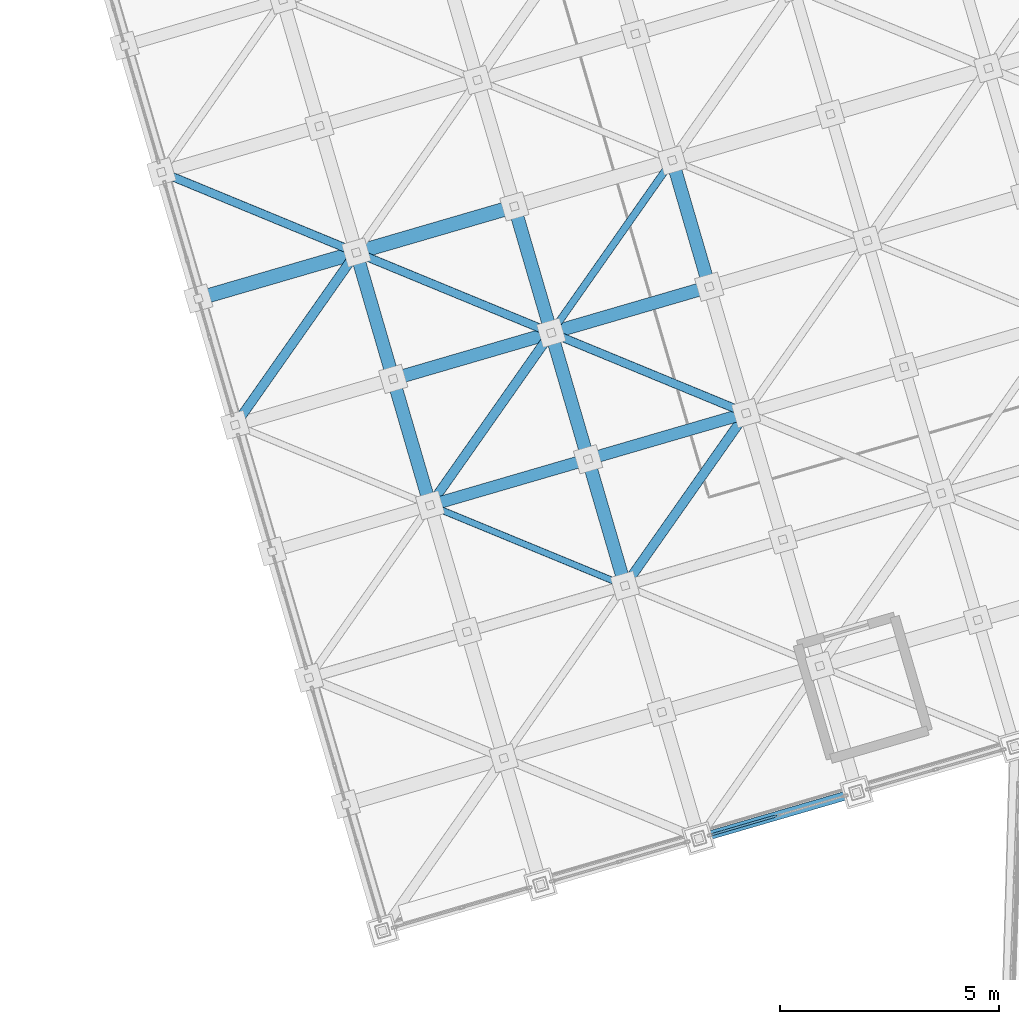
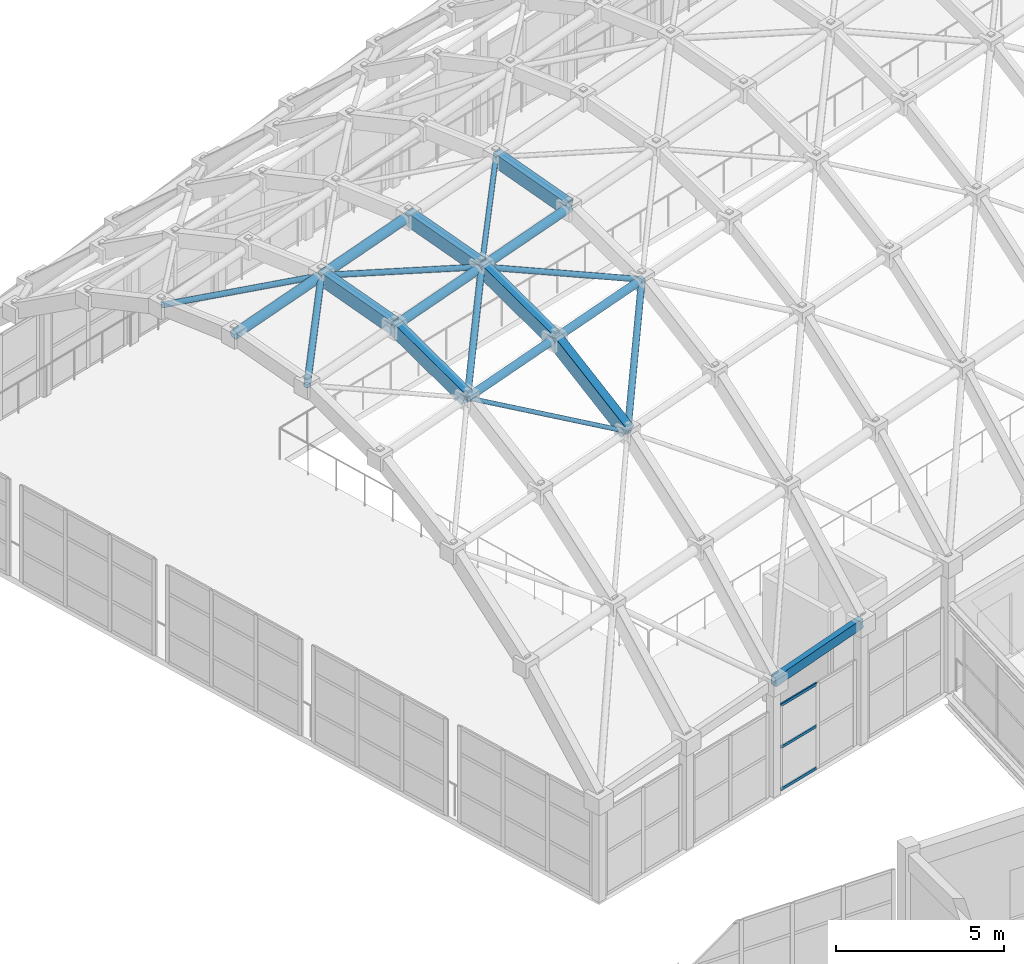
# One storey, part 39 of 248: 17 members, 7 beams, 1 element without a shape of its own.
"""IFC4 building model written with IfcOpenShell, lengths in metres."""

from ifc_helpers import new_model, si_unit, direction, frame, origin, origin_2d, place, context, subcontext, project, spatial, hollow_rectangle, hollow_circle, extrude, material, layer, layer_set, material_profile, profile_set, type_object, element, aggregate, save


model = new_model("IFC4")

# Units and contexts
model_context = context("Model", 3, precision=1e-05, world=origin(), true_north=direction((0.0, 1.0)))
body_context = subcontext(model_context, "Body", "Model", "MODEL_VIEW")
ifc_project = project(units=[si_unit("LENGTHUNIT", "METRE"), si_unit("AREAUNIT", "SQUARE_METRE"), si_unit("VOLUMEUNIT", "CUBIC_METRE"), si_unit("PLANEANGLEUNIT", "RADIAN"), si_unit("MASSUNIT", "GRAM", prefix="KILO")], contexts=[model_context])

# Site, building, storey
site_placement = place(None, origin())
site = spatial("IfcSite", under=ifc_project, at=site_placement, CompositionType="ELEMENT")
building_placement = place(site_placement, origin())
building = spatial("IfcBuilding", under=site, at=building_placement, Name="Canggui Botanical Conservatory", CompositionType="ELEMENT")
storey_placement = place(building_placement, frame((0.0, 0.0, 5.39990234375)))
storey = spatial("IfcBuildingStorey", under=building, at=storey_placement, Name="L02", CompositionType="ELEMENT", Elevation=5.39990234375)

# Beams
ifc_material_1 = material(Name="Steel Q355C", Category="steel")
ifc_material_profile_1 = material_profile(ifc_material_1, hollow_rectangle(XDim=0.300048828125, YDim=0.5, WallThickness=0.01611328125, at=origin_2d()), Name="RHS 300x500x16")
ifc_profile_set_1 = profile_set([ifc_material_profile_1], Name="Steel Q355C")
beam_type_1 = type_object("IfcBeamType", Name="BM-GJ01", PredefinedType="BEAM", material=ifc_profile_set_1)
beam_1_placement = place(storey_placement, frame((21.080078125, 51.68994140625, 11.9140625), z_axis=(-0.261403948618, 0.896187847093, 0.358490332324), x_axis=(-0.959995442804, -0.2800156242, 0.0)))
element("IfcBeam", 1, at=beam_1_placement, inside=storey, type_object=beam_type_1, Name="Conservatory Stepped-Arch Rib GJ-02 Segment 4", PredefinedType="BEAM", context=body_context, shape_type="SweptSolid", body=[
    extrude(hollow_rectangle(XDim=0.300048828125, YDim=0.5, WallThickness=0.01611328125, at=origin_2d()), origin(), (0.0, 0.0, 1.0), 3.2138671875),
])
beam_2_placement = place(storey_placement, frame((20.239990234375, 54.570068359375, 13.066162109375), z_axis=(-0.277770725345, 0.952218388891, 0.12697859662), x_axis=(-0.959989061447, -0.280037500885, 0.0)))
element("IfcBeam", 2, at=beam_2_placement, inside=storey, type_object=beam_type_1, Name="Conservatory Stepped-Arch Rib GJ-02 Segment 5", PredefinedType="BEAM", context=body_context, shape_type="SweptSolid", body=[
    extrude(hollow_rectangle(XDim=0.300048828125, YDim=0.5, WallThickness=0.01611328125, at=origin_2d()), origin(), (0.0, 0.0, 1.0), 3.0244140625),
])
beam_3_placement = place(storey_placement, frame((25.52001953125, 49.860107421875, 10.244140625), z_axis=(-0.235868359053, 0.808574008543, 0.539049339028), x_axis=(-0.959989061447, -0.280037500885, 0.0)))
element("IfcBeam", 3, at=beam_3_placement, inside=storey, type_object=beam_type_1, Name="Conservatory Stepped-Arch Rib GJ-03 Segment 3", PredefinedType="BEAM", context=body_context, shape_type="SweptSolid", body=[
    extrude(hollow_rectangle(XDim=0.300048828125, YDim=0.5, WallThickness=0.01611328125, at=origin_2d()), origin(), (0.0, 0.0, 1.0), 3.561767578125),
])
beam_4_placement = place(storey_placement, frame((24.679931640625, 52.739990234375, 12.1640625), z_axis=(-0.261333170082, 0.896205641703, 0.35849745047), x_axis=(-0.960017315421, -0.279940626011, 0.0)))
element("IfcBeam", 4, at=beam_4_placement, inside=storey, type_object=beam_type_1, Name="Conservatory Stepped-Arch Rib GJ-03 Segment 4", PredefinedType="BEAM", context=body_context, shape_type="SweptSolid", body=[
    extrude(hollow_rectangle(XDim=0.300048828125, YDim=0.5, WallThickness=0.01611328125, at=origin_2d()), origin(), (0.0, 0.0, 1.0), 3.213623046875),
])
beam_5_placement = place(storey_placement, frame((23.840087890625, 55.6201171875, 13.316162109375), z_axis=(-0.277770725345, 0.952218388891, 0.12697859662), x_axis=(-0.959989061447, -0.280037500885, 0.0)))
element("IfcBeam", 5, at=beam_5_placement, inside=storey, type_object=beam_type_1, Name="Conservatory Stepped-Arch Rib GJ-03 Segment 5", PredefinedType="BEAM", context=body_context, shape_type="SweptSolid", body=[
    extrude(hollow_rectangle(XDim=0.300048828125, YDim=0.5, WallThickness=0.01611328125, at=origin_2d()), origin(), (0.0, 0.0, 1.0), 3.0244140625),
])
beam_6_placement = place(storey_placement, frame((27.43994140625, 56.669921875, 13.566162109375), z_axis=(-0.277674882378, 0.952247263781, 0.126971683134), x_axis=(-0.960017315421, -0.279940626011, 0.0)))
element("IfcBeam", 6, at=beam_6_placement, inside=storey, type_object=beam_type_1, Name="Conservatory Stepped-Arch Rib GJ-04 Segment 5", PredefinedType="BEAM", context=body_context, shape_type="SweptSolid", body=[
    extrude(hollow_rectangle(XDim=0.300048828125, YDim=0.5, WallThickness=0.01611328125, at=origin_2d()), origin(), (0.0, 0.0, 1.0), 3.024658203125),
])
ifc_material_profile_2 = material_profile(ifc_material_1, hollow_rectangle(XDim=0.199951171875, YDim=0.35009765625, WallThickness=0.011962890625, at=origin_2d()), Name="RHS 200x350x12")
ifc_profile_set_2 = profile_set([ifc_material_profile_2], Name="Steel Q355C")
beam_type_2 = type_object("IfcBeamType", Name="BM-RING01", PredefinedType="BEAM", material=ifc_profile_set_2)
beam_7_placement = place(storey_placement, frame((27.199951171875, 44.10009765625, 4.10009765625), z_axis=(0.957889800097, 0.279324979006, 0.066518320582), x_axis=(-0.279945000113, 0.960016039924, 0.0)))
element("IfcBeam", 7, at=beam_7_placement, inside=storey, type_object=beam_type_2, Name="Conservatory Perimeter Ring Beam V0-03", PredefinedType="BEAM", context=body_context, shape_type="SweptSolid", body=[
    extrude(hollow_rectangle(XDim=0.199951171875, YDim=0.35009765625, WallThickness=0.011962890625, at=origin_2d()), origin(), (0.0, 0.0, 1.0), 3.75830078125),
])

# Curtain wall, members
ifc_material_2 = material(Name="Thermally Broken Aluminium", Category="aluminium")
ifc_layer = layer(ifc_material_2, 0.135009765625, Name="Thermally Broken Aluminium", Category="aluminium")
ifc_layer_set = layer_set([ifc_layer], Name="Thermally Broken Aluminium")
curtain_wall_type = type_object("IfcCurtainWallType", Name="CW-STICK-A", PredefinedType="USERDEFINED", material=ifc_layer_set)
curtain_wall_placement = place(storey_placement, origin())
curtain_wall = element("IfcCurtainWall", 8, at=curtain_wall_placement, inside=storey, type_object=curtain_wall_type, Name="Facade Curtain Wall CW-CONS-L02-V0-03", ObjectType="STICK GLAZED WALL", PredefinedType="USERDEFINED")
ifc_material_profile_3 = material_profile(ifc_material_2, hollow_rectangle(XDim=0.050048828125, YDim=0.10009765625, WallThickness=0.0029296875, at=origin_2d()), Name="CWT 50x100x3")
ifc_profile_set_3 = profile_set([ifc_material_profile_3], Name="Thermally Broken Aluminium")
member_type_1 = type_object("IfcMemberType", Name="CWT-04", PredefinedType="USERDEFINED", material=ifc_profile_set_3)
member_1_placement = place(storey_placement, frame((28.97119140625, 44.61669921875, 0.025146484375), z_axis=(-0.959978621933, -0.280073285822, 0.0), x_axis=(0.280073285822, -0.959978621933, 0.0)))
member_1 = element("IfcMember", 9, at=member_1_placement, type_object=member_type_1, Name="CW-04 transom 2.1", ObjectType="TRANSOM", PredefinedType="USERDEFINED", context=body_context, shape_type="SweptSolid", body=[
    extrude(hollow_rectangle(XDim=0.050048828125, YDim=0.10009765625, WallThickness=0.0029296875, at=origin_2d()), origin(), (0.0, 0.0, 1.0), 1.53515625),
])
member_2_placement = place(storey_placement, frame((28.97119140625, 44.61669921875, 1.550048828125), z_axis=(-0.959978621933, -0.280073285822, 0.0), x_axis=(0.280073285822, -0.959978621933, 0.0)))
member_2 = element("IfcMember", 10, at=member_2_placement, type_object=member_type_1, Name="CW-04 transom 2.2", ObjectType="TRANSOM", PredefinedType="USERDEFINED", context=body_context, shape_type="SweptSolid", body=[
    extrude(hollow_rectangle(XDim=0.050048828125, YDim=0.10009765625, WallThickness=0.0029296875, at=origin_2d()), origin(), (0.0, 0.0, 1.0), 1.53515625),
])
member_3_placement = place(storey_placement, frame((28.97119140625, 44.61669921875, 3.0751953125), z_axis=(-0.959978621933, -0.280073285822, 0.0), x_axis=(0.280073285822, -0.959978621933, 0.0)))
member_3 = element("IfcMember", 11, at=member_3_placement, type_object=member_type_1, Name="CW-04 transom 2.3", ObjectType="TRANSOM", PredefinedType="USERDEFINED", context=body_context, shape_type="SweptSolid", body=[
    extrude(hollow_rectangle(XDim=0.050048828125, YDim=0.10009765625, WallThickness=0.0029296875, at=origin_2d()), origin(), (0.0, 0.0, 1.0), 1.53515625),
])
aggregate(curtain_wall, [member_1, member_2, member_3])

# Members
ifc_material_profile_4 = material_profile(ifc_material_1, hollow_circle(Radius=0.16259765625, WallThickness=0.011962890625, at=origin_2d()), Name="CHS 325x12")
ifc_profile_set_4 = profile_set([ifc_material_profile_4], Name="Steel Q355C")
member_type_2 = type_object("IfcMemberType", Name="MEM-GSC01", PredefinedType="CHORD", material=ifc_profile_set_4)
member_4_placement = place(storey_placement, frame((15.800048828125, 56.39990234375, 13.2001953125), z_axis=(0.957867059601, 0.279402253194, 0.066521252562), x_axis=(-0.280022500685, 0.959993437014, 0.0)))
element("IfcMember", 12, at=member_4_placement, inside=storey, type_object=member_type_2, Name="Conservatory Gridshell Longitudinal Chord 1-5", PredefinedType="CHORD", context=body_context, shape_type="SweptSolid", body=[
    extrude(hollow_circle(Radius=0.16259765625, WallThickness=0.011962890625, at=origin_2d()), origin(), (0.0, 0.0, 1.0), 3.75830078125),
])
member_5_placement = place(storey_placement, frame((19.39990234375, 57.449951171875, 13.4501953125), z_axis=(0.957872417874, 0.27938486839, 0.066517113516), x_axis=(-0.280004999853, 0.959998541695, 0.0)))
element("IfcMember", 13, at=member_5_placement, inside=storey, type_object=member_type_2, Name="Conservatory Gridshell Longitudinal Chord 2-5", PredefinedType="CHORD", context=body_context, shape_type="SweptSolid", body=[
    extrude(hollow_circle(Radius=0.16259765625, WallThickness=0.011962890625, at=origin_2d()), origin(), (0.0, 0.0, 1.0), 3.758544921875),
])
ifc_material_profile_5 = material_profile(ifc_material_1, hollow_circle(Radius=0.1494140625, WallThickness=0.011962890625, at=origin_2d()), Name="CHS 299x12")
ifc_profile_set_5 = profile_set([ifc_material_profile_5], Name="Steel Q355C")
member_type_3 = type_object("IfcMemberType", Name="MEM-GSC02", PredefinedType="CHORD", material=ifc_profile_set_5)
member_6_placement = place(storey_placement, frame((20.239990234375, 54.570068359375, 13.066162109375), z_axis=(0.957872417874, 0.27938486839, 0.066517113516), x_axis=(-0.280004999853, 0.959998541695, 0.0)))
element("IfcMember", 14, at=member_6_placement, inside=storey, type_object=member_type_3, Name="Conservatory Gridshell Longitudinal Chord 2-4", PredefinedType="CHORD", context=body_context, shape_type="SweptSolid", body=[
    extrude(hollow_circle(Radius=0.1494140625, WallThickness=0.011962890625, at=origin_2d()), origin(), (0.0, 0.0, 1.0), 3.758544921875),
])
member_7_placement = place(storey_placement, frame((23.840087890625, 55.6201171875, 13.316162109375), z_axis=(0.95788444389, 0.279342360714, 0.066522459854), x_axis=(-0.279962497833, 0.960010937337, 0.0)))
element("IfcMember", 15, at=member_7_placement, inside=storey, type_object=member_type_3, Name="Conservatory Gridshell Longitudinal Chord 3-4", PredefinedType="CHORD", context=body_context, shape_type="SweptSolid", body=[
    extrude(hollow_circle(Radius=0.1494140625, WallThickness=0.011962890625, at=origin_2d()), origin(), (0.0, 0.0, 1.0), 3.758056640625),
])
ifc_material_profile_6 = material_profile(ifc_material_1, hollow_circle(Radius=0.136474609375, WallThickness=0.010009765625, at=origin_2d()), Name="CHS 273x10")
ifc_profile_set_6 = profile_set([ifc_material_profile_6], Name="Steel Q355C")
member_type_4 = type_object("IfcMemberType", Name="MEM-GSC03", PredefinedType="CHORD", material=ifc_profile_set_6)
member_8_placement = place(storey_placement, frame((21.080078125, 51.68994140625, 11.9140625), z_axis=(0.957867059601, 0.279402253194, 0.066521252562), x_axis=(-0.280022500685, 0.959993437014, 0.0)))
element("IfcMember", 16, at=member_8_placement, inside=storey, type_object=member_type_4, Name="Conservatory Gridshell Longitudinal Chord 2-3", PredefinedType="CHORD", context=body_context, shape_type="SweptSolid", body=[
    extrude(hollow_circle(Radius=0.136474609375, WallThickness=0.010009765625, at=origin_2d()), origin(), (0.0, 0.0, 1.0), 3.75830078125),
])
member_9_placement = place(storey_placement, frame((24.679931640625, 52.739990234375, 12.1640625), z_axis=(0.957872417874, 0.27938486839, 0.066517113516), x_axis=(-0.280004999853, 0.959998541695, 0.0)))
element("IfcMember", 17, at=member_9_placement, inside=storey, type_object=member_type_4, Name="Conservatory Gridshell Longitudinal Chord 3-3", PredefinedType="CHORD", context=body_context, shape_type="SweptSolid", body=[
    extrude(hollow_circle(Radius=0.136474609375, WallThickness=0.010009765625, at=origin_2d()), origin(), (0.0, 0.0, 1.0), 3.758544921875),
])
ifc_material_profile_7 = material_profile(ifc_material_1, hollow_circle(Radius=0.109619140625, WallThickness=0.008056640625, at=origin_2d()), Name="CHS 219x8")
ifc_profile_set_7 = profile_set([ifc_material_profile_7], Name="Steel Q355C")
member_type_5 = type_object("IfcMemberType", Name="MEM-GSD01", PredefinedType="RAFTER", material=ifc_profile_set_7)
member_10_placement = place(storey_placement, frame((16.639892578125, 53.52001953125, 12.816162109375), z_axis=(0.569782960748, 0.811304406826, 0.130891317918), x_axis=(-0.818344854073, 0.574727500484, 0.0)))
element("IfcMember", 18, at=member_10_placement, inside=storey, type_object=member_type_5, Name="Conservatory Gridshell Diagrid Rafter 1-5", PredefinedType="RAFTER", context=body_context, shape_type="SweptSolid", body=[
    extrude(hollow_circle(Radius=0.109619140625, WallThickness=0.008056640625, at=origin_2d()), origin(), (0.0, 0.0, 1.0), 4.843994140625),
])
member_11_placement = place(storey_placement, frame((21.080078125, 51.68994140625, 11.9140625), z_axis=(0.551673045588, 0.785566801227, 0.2802528351), x_axis=(-0.818361645525, 0.574703590674, 0.0)))
element("IfcMember", 19, at=member_11_placement, inside=storey, type_object=member_type_5, Name="Conservatory Gridshell Diagrid Rafter 2-4", PredefinedType="RAFTER", context=body_context, shape_type="SweptSolid", body=[
    extrude(hollow_circle(Radius=0.109619140625, WallThickness=0.008056640625, at=origin_2d()), origin(), (0.0, 0.0, 1.0), 5.0029296875),
])
member_12_placement = place(storey_placement, frame((25.52001953125, 49.860107421875, 10.244140625), z_axis=(0.52374291705, 0.74574876035, 0.411767098341), x_axis=(-0.818344854073, 0.574727500484, 0.0)))
element("IfcMember", 20, at=member_12_placement, inside=storey, type_object=member_type_5, Name="Conservatory Gridshell Diagrid Rafter 3-3", PredefinedType="RAFTER", context=body_context, shape_type="SweptSolid", body=[
    extrude(hollow_circle(Radius=0.109619140625, WallThickness=0.008056640625, at=origin_2d()), origin(), (0.0, 0.0, 1.0), 5.269775390625),
])
ifc_material_profile_8 = material_profile(ifc_material_1, hollow_circle(Radius=0.096923828125, WallThickness=0.008056640625, at=origin_2d()), Name="CHS 194x8")
ifc_profile_set_8 = profile_set([ifc_material_profile_8], Name="Steel Q355C")
member_type_6 = type_object("IfcMemberType", Name="MEM-GSD02", PredefinedType="RAFTER", material=ifc_profile_set_8)
member_13_placement = place(storey_placement, frame((14.9599609375, 59.280029296875, 12.816162109375), z_axis=(0.916587168266, -0.37780366289, 0.130890623336), x_axis=(0.381082183428, 0.924541166998, 0.0)))
element("IfcMember", 21, at=member_13_placement, inside=storey, type_object=member_type_6, Name="Conservatory Gridshell Diagrid Rafter 1-6", PredefinedType="RAFTER", context=body_context, shape_type="SweptSolid", body=[
    extrude(hollow_circle(Radius=0.096923828125, WallThickness=0.008056640625, at=origin_2d()), origin(), (0.0, 0.0, 1.0), 4.843994140625),
])
member_14_placement = place(storey_placement, frame((19.39990234375, 57.449951171875, 13.4501953125), z_axis=(0.924206582359, -0.380872509747, -0.027898466691), x_axis=(0.381020817519, 0.924566458735, 0.0)))
element("IfcMember", 22, at=member_14_placement, inside=storey, type_object=member_type_6, Name="Conservatory Gridshell Diagrid Rafter 2-5", PredefinedType="RAFTER", context=body_context, shape_type="SweptSolid", body=[
    extrude(hollow_circle(Radius=0.096923828125, WallThickness=0.008056640625, at=origin_2d()), origin(), (0.0, 0.0, 1.0), 4.804443359375),
])
member_15_placement = place(storey_placement, frame((23.840087890625, 55.6201171875, 13.316162109375), z_axis=(0.90864869029, -0.374531539779, -0.184617668021), x_axis=(0.381082183428, 0.924541166998, 0.0)))
element("IfcMember", 23, at=member_15_placement, inside=storey, type_object=member_type_6, Name="Conservatory Gridshell Diagrid Rafter 3-4", PredefinedType="RAFTER", context=body_context, shape_type="SweptSolid", body=[
    extrude(hollow_circle(Radius=0.096923828125, WallThickness=0.008056640625, at=origin_2d()), origin(), (0.0, 0.0, 1.0), 4.88623046875),
])
ifc_material_profile_9 = material_profile(ifc_material_1, hollow_circle(Radius=0.083984375, WallThickness=0.008056640625, at=origin_2d()), Name="CHS 168x8")
ifc_profile_set_9 = profile_set([ifc_material_profile_9], Name="Steel Q355C")
member_type_7 = type_object("IfcMemberType", Name="MEM-GSD03", PredefinedType="RAFTER", material=ifc_profile_set_9)
member_16_placement = place(storey_placement, frame((23.840087890625, 55.6201171875, 13.316162109375), z_axis=(0.569782960748, 0.811304406826, 0.130891317918), x_axis=(-0.818344854073, 0.574727500484, 0.0)))
element("IfcMember", 24, at=member_16_placement, inside=storey, type_object=member_type_7, Name="Conservatory Gridshell Diagrid Rafter 3-5", PredefinedType="RAFTER", context=body_context, shape_type="SweptSolid", body=[
    extrude(hollow_circle(Radius=0.083984375, WallThickness=0.008056640625, at=origin_2d()), origin(), (0.0, 0.0, 1.0), 4.843994140625),
])
ifc_material_profile_10 = material_profile(ifc_material_1, hollow_circle(Radius=0.075927734375, WallThickness=0.006103515625, at=origin_2d()), Name="CHS 152x6")
ifc_profile_set_10 = profile_set([ifc_material_profile_10], Name="Steel Q355C")
member_type_8 = type_object("IfcMemberType", Name="MEM-GSD04", PredefinedType="RAFTER", material=ifc_profile_set_10)
member_17_placement = place(storey_placement, frame((21.080078125, 51.68994140625, 11.9140625), z_axis=(0.873266642847, -0.359899564948, -0.328447368144), x_axis=(0.381038726983, 0.924559077907, 0.0)))
element("IfcMember", 25, at=member_17_placement, inside=storey, type_object=member_type_8, Name="Conservatory Gridshell Diagrid Rafter 2-3", PredefinedType="RAFTER", context=body_context, shape_type="SweptSolid", body=[
    extrude(hollow_circle(Radius=0.075927734375, WallThickness=0.006103515625, at=origin_2d()), origin(), (0.0, 0.0, 1.0), 5.084228515625),
])

save(model, "model.ifc")
